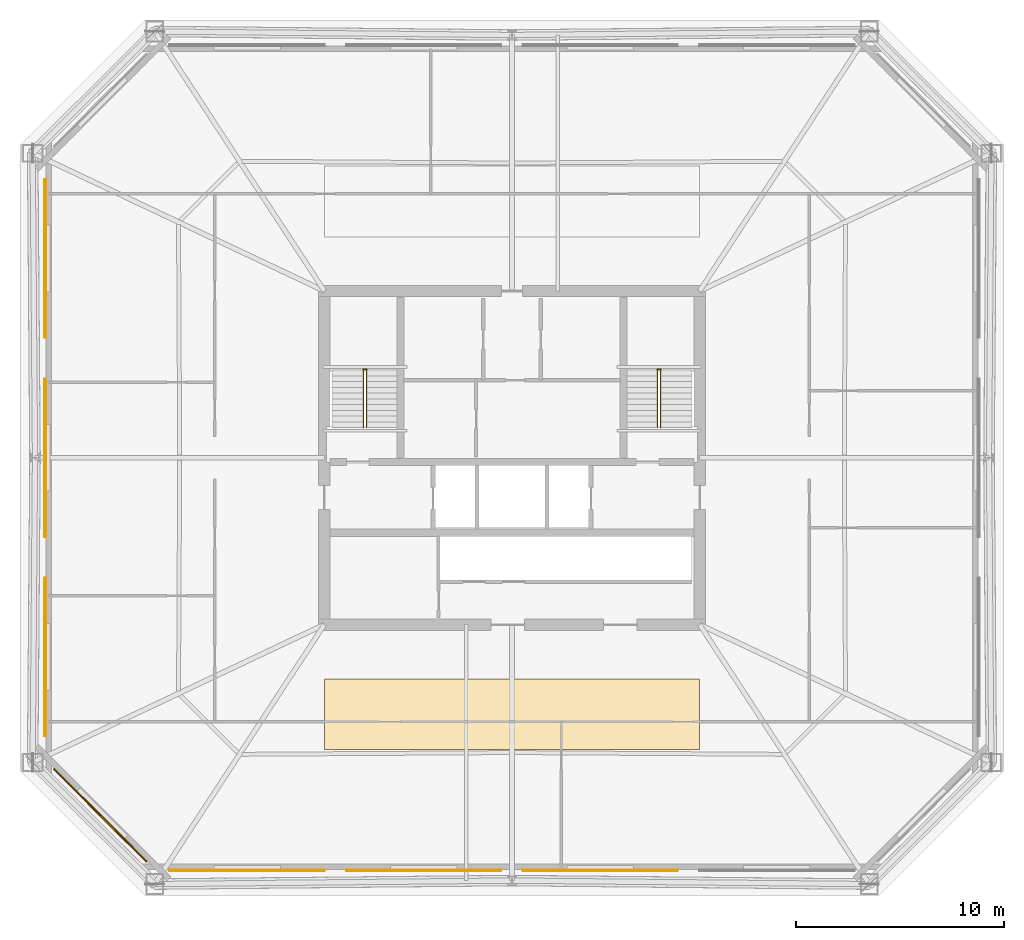
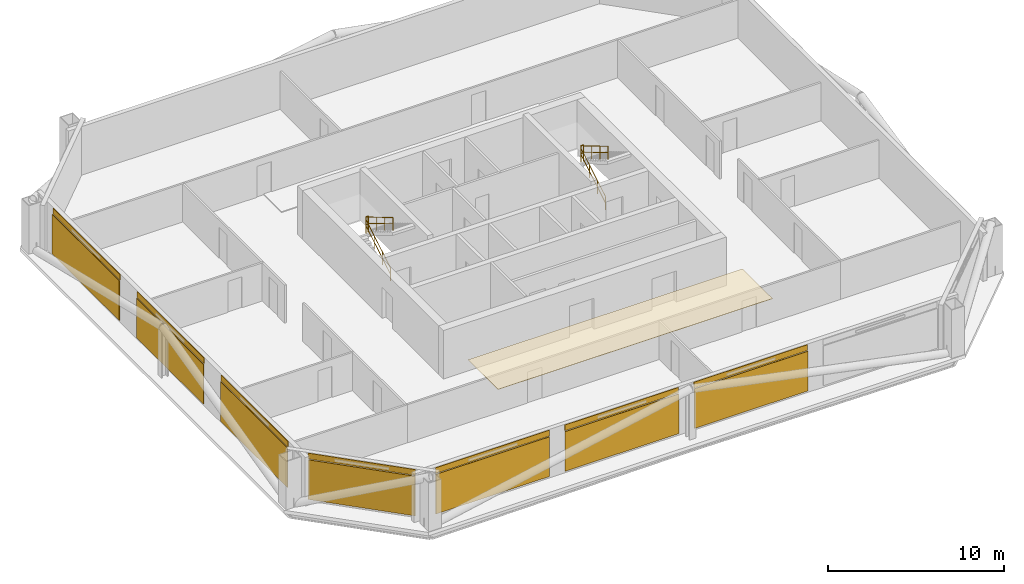
# One storey, part 5 of 6: 8 coverings, 7 shading devices, 6 railings.
"""IFC4 building model written with IfcOpenShell, lengths in metres."""

from ifc_helpers import new_model, si_unit, direction, frame, origin, origin_2d, place, context, subcontext, project, spatial, polyline, rectangle, circle, outline, extrude, material, layer, layer_set, type_object, element, save


model = new_model("IFC4")

# Units and contexts
model_context = context("Model", 3, precision=1e-05, world=origin(), true_north=direction((0.0, 1.0)))
body_context = subcontext(model_context, "Body", "Model", "MODEL_VIEW")
ifc_project = project(units=[si_unit("LENGTHUNIT", "METRE"), si_unit("AREAUNIT", "SQUARE_METRE"), si_unit("VOLUMEUNIT", "CUBIC_METRE"), si_unit("PLANEANGLEUNIT", "RADIAN"), si_unit("MASSUNIT", "GRAM", prefix="KILO")], contexts=[model_context])

# Site, building, storey
site_placement = place(None, origin())
site = spatial("IfcSite", under=ifc_project, at=site_placement, CompositionType="ELEMENT")
building_placement = place(site_placement, origin())
building = spatial("IfcBuilding", under=site, at=building_placement, Name="Caelvoria Tower", CompositionType="ELEMENT")
storey_placement = place(building_placement, frame((0.0, 0.0, 116.800048828125)))
storey = spatial("IfcBuildingStorey", under=building, at=storey_placement, Name="L30", CompositionType="ELEMENT", Elevation=116.800048828125)

# Coverings
ifc_material_1 = material(Name="Acoustic Mineral Fibre Tile", Category="gypsum")
ifc_layer_1 = layer(ifc_material_1, 0.02490234375, Name="Acoustic Mineral Fibre Tile")
ifc_layer_set_1 = layer_set([ifc_layer_1], Name="Mineral-Fibre Acoustic Suspended Ceiling 25 - Acoustic Mineral Fibre Tile")
covering_type_1 = type_object("IfcCoveringType", Name="Mineral-Fibre Acoustic Suspended Ceiling 25", PredefinedType="CEILING", material=ifc_layer_set_1)
covering_1_placement = place(storey_placement, frame((0.0, 0.0, 2.635009765625)))
element("IfcCovering", 1, at=covering_1_placement, inside=storey, type_object=covering_type_1, Name="Suspended Acoustic Ceiling L30", PredefinedType="CEILING", context=body_context, shape_type="SweptSolid", body=[
    extrude(outline(polyline([(37.0, 18.0), (55.0, 18.0), (55.0, 21.39990234375), (37.0, 21.39990234375), (37.0, 18.0)])), origin(), (0.0, 0.0, 1.0), 0.02490234375),
])
ifc_material_2 = material(Name="Perforated Architectural Bronze Cladding Screen", Category="bronze")
ifc_layer_2 = layer(ifc_material_2, 0.0400390625, Name="Perforated Architectural Bronze Cladding Screen")
ifc_layer_set_2 = layer_set([ifc_layer_2], Name="Perforated Bronze Louvre Cladding Band 40 - Perforated Architectural Bronze Cladding Screen")
covering_type_2 = type_object("IfcCoveringType", Name="Perforated Bronze Louvre Cladding Band 40", PredefinedType="CLADDING", material=ifc_layer_set_2)
for number, where, z_axis, x_axis, name in (
    (2, (33.294921875, 12.22802734375, 2.93994140625), (0.0, 0.0, 1.0), (1.0, 0.0, 0.0), "Perforated Bronze Screen Band L30-E0-00"),
    (3, (41.764892578125, 12.22802734375, 2.93994140625), (0.0, 0.0, 1.0), (1.0, 0.0, 0.0), "Perforated Bronze Screen Band L30-E0-01"),
    (4, (50.235107421875, 12.22802734375, 2.93994140625), (0.0, 0.0, 1.0), (1.0, 0.0, 0.0), "Perforated Bronze Screen Band L30-E0-02"),
):
    element("IfcCovering", number, at=place(storey_placement, frame(where, z_axis=z_axis, x_axis=x_axis)), inside=storey, type_object=covering_type_2, Name=name, PredefinedType="CLADDING", context=body_context, shape_type="SweptSolid", body=[
        extrude(rectangle(XDim=7.45361328125, YDim=0.0400390625, at=origin_2d()), origin(), (0.0, 0.0, 1.0), 0.39990234375),
    ])
for number, where, z_axis, x_axis, name in (
    (5, (23.6279296875, 41.56005859375, 2.93994140625), (0.0, 0.0, 1.0), (0.0, -1.0, 0.0), "Perforated Bronze Screen Band L30-E6-00"),
    (6, (23.6279296875, 32.0, 2.93994140625), (0.0, 0.0, 1.0), (0.0, -1.0, 0.0), "Perforated Bronze Screen Band L30-E6-01"),
    (7, (23.6279296875, 22.43994140625, 2.93994140625), (0.0, 0.0, 1.0), (0.0, -1.0, 0.0), "Perforated Bronze Screen Band L30-E6-02"),
):
    element("IfcCovering", number, at=place(storey_placement, frame(where, z_axis=z_axis, x_axis=x_axis)), inside=storey, type_object=covering_type_2, Name=name, PredefinedType="CLADDING", context=body_context, shape_type="SweptSolid", body=[
        extrude(rectangle(XDim=7.60009765625, YDim=0.0400390625, at=origin_2d()), origin(), (0.0, 0.0, 1.0), 0.39990234375),
    ])
covering_2_placement = place(storey_placement, frame((26.268310546875, 14.868408203125, 2.93994140625), z_axis=(0.0, 0.0, 1.0), x_axis=(0.707106781187, -0.707106781187, 0.0)))
element("IfcCovering", 8, at=covering_2_placement, inside=storey, type_object=covering_type_2, Name="Perforated Bronze Screen Band L30-E7-00", PredefinedType="CLADDING", context=body_context, shape_type="SweptSolid", body=[
    extrude(rectangle(XDim=6.305419921875, YDim=0.0400390625, at=origin_2d()), origin(), (0.0, 0.0, 1.0), 0.39990234375),
])

# Shading devices
ifc_material_3 = material(Name="Perforated Architectural Bronze Alloy Panel", Category="bronze")
ifc_layer_3 = layer(ifc_material_3, 0.044921875, Name="Perforated Architectural Bronze Alloy Panel")
ifc_layer_set_3 = layer_set([ifc_layer_3], Name="Perforated Bronze Solar Screen Panel SCREEN - Perforated Architectural Bronze Alloy Panel")
shading_device_type = type_object("IfcShadingDeviceType", Name="Perforated Bronze Solar Screen Panel SCREEN", PredefinedType="USERDEFINED", material=ifc_layer_set_3)
for number, where, z_axis, x_axis, name in (
    (9, (33.294921875, 12.18505859375, 0.159912109375), (0.0, 0.0, 1.0), (1.0, 0.0, 0.0), "Perforated Bronze Solar Screen L30-E0-00"),
    (10, (41.764892578125, 12.18505859375, 0.159912109375), (0.0, 0.0, 1.0), (1.0, 0.0, 0.0), "Perforated Bronze Solar Screen L30-E0-01"),
    (11, (50.235107421875, 12.18505859375, 0.159912109375), (0.0, 0.0, 1.0), (1.0, 0.0, 0.0), "Perforated Bronze Solar Screen L30-E0-02"),
):
    element("IfcShadingDevice", number, at=place(storey_placement, frame(where, z_axis=z_axis, x_axis=x_axis)), inside=storey, type_object=shading_device_type, Name=name, ObjectType="SCREEN", PredefinedType="USERDEFINED", context=body_context, shape_type="SweptSolid", body=[
        extrude(rectangle(XDim=7.45361328125, YDim=0.044921875, at=origin_2d()), origin(), (0.0, 0.0, 1.0), 2.75),
    ])
for number, where, z_axis, x_axis, name in (
    (12, (23.5849609375, 41.56005859375, 0.159912109375), (0.0, 0.0, 1.0), (0.0, -1.0, 0.0), "Perforated Bronze Solar Screen L30-E6-00"),
    (13, (23.5849609375, 32.0, 0.159912109375), (0.0, 0.0, 1.0), (0.0, -1.0, 0.0), "Perforated Bronze Solar Screen L30-E6-01"),
    (14, (23.5849609375, 22.43994140625, 0.159912109375), (0.0, 0.0, 1.0), (0.0, -1.0, 0.0), "Perforated Bronze Solar Screen L30-E6-02"),
):
    element("IfcShadingDevice", number, at=place(storey_placement, frame(where, z_axis=z_axis, x_axis=x_axis)), inside=storey, type_object=shading_device_type, Name=name, ObjectType="SCREEN", PredefinedType="USERDEFINED", context=body_context, shape_type="SweptSolid", body=[
        extrude(rectangle(XDim=7.60009765625, YDim=0.044921875, at=origin_2d()), origin(), (0.0, 0.0, 1.0), 2.75),
    ])
shading_device_placement = place(storey_placement, frame((26.23779296875, 14.837890625, 0.159912109375), z_axis=(0.0, 0.0, 1.0), x_axis=(0.707106781187, -0.707106781187, 0.0)))
element("IfcShadingDevice", 15, at=shading_device_placement, inside=storey, type_object=shading_device_type, Name="Perforated Bronze Solar Screen L30-E7-00", ObjectType="SCREEN", PredefinedType="USERDEFINED", context=body_context, shape_type="SweptSolid", body=[
    extrude(rectangle(XDim=6.305419921875, YDim=0.044921875, at=origin_2d()), origin(), (0.0, 0.0, 1.0), 2.75),
])

# Railings
ifc_material_4 = material(Name="Brushed Stainless Steel Tube", Category="steel")
railing_type_1 = type_object("IfcRailingType", Name="Stair Tubular Stainless Handrail 920", PredefinedType="HANDRAIL", material=ifc_material_4)
railing_1_placement = place(storey_placement, frame((38.8701171875, 33.449951171875, 0.16357421875)))
element("IfcRailing", 16, at=railing_1_placement, inside=storey, type_object=railing_type_1, Name="ST-01 Flight 1 Handrail L30", PredefinedType="HANDRAIL", context=body_context, shape_type="SweptSolid", body=[
    extrude(circle(Radius=0.02392578125, at=origin_2d()), frame((0.0, 0.0, 0.89599609375), z_axis=(0.0, 0.859351957796, 0.511384603436), x_axis=(-1.0, 0.0, 0.0)), (0.0, 0.0, 1.0), 3.2001953125),
    extrude(circle(Radius=0.02392578125, at=origin_2d()), frame((0.0, 0.0, 0.4599609375), z_axis=(0.0, 0.859351957796, 0.511384603436), x_axis=(-1.0, 0.0, 0.0)), (0.0, 0.0, 1.0), 3.2001953125),
    extrude(circle(Radius=0.02099609375, at=origin_2d()), origin(), (0.0, 0.0, 1.0), 0.871826171875),
    extrude(circle(Radius=0.02099609375, at=origin_2d()), frame((0.0, 0.916748046875, 0.54541015625)), (0.0, 0.0, 1.0), 0.871826171875),
    extrude(circle(Radius=0.02099609375, at=origin_2d()), frame((0.0, 1.833251953125, 1.091064453125)), (0.0, 0.0, 1.0), 0.871826171875),
    extrude(circle(Radius=0.02099609375, at=origin_2d()), frame((0.0, 2.75, 1.636474609375)), (0.0, 0.0, 1.0), 0.871826171875),
])
railing_2_placement = place(storey_placement, frame((39.030029296875, 36.199951171875, 1.963623046875)))
element("IfcRailing", 17, at=railing_2_placement, inside=storey, type_object=railing_type_1, Name="ST-01 Flight 2 Handrail L30", PredefinedType="HANDRAIL", context=body_context, shape_type="SweptSolid", body=[
    extrude(circle(Radius=0.02392578125, at=origin_2d()), frame((0.0, 0.0, 0.89599609375), z_axis=(0.0, -0.859385484447, 0.511328259656), x_axis=(1.0, 0.0, 0.0)), (0.0, 0.0, 1.0), 3.199951171875),
    extrude(circle(Radius=0.02392578125, at=origin_2d()), frame((0.0, 0.0, 0.4599609375), z_axis=(0.0, -0.859385484447, 0.511328259656), x_axis=(1.0, 0.0, 0.0)), (0.0, 0.0, 1.0), 3.199951171875),
    extrude(circle(Radius=0.02099609375, at=origin_2d()), origin(), (0.0, 0.0, 1.0), 0.871826171875),
    extrude(circle(Radius=0.02099609375, at=origin_2d()), frame((0.0, -0.916748046875, 0.54541015625)), (0.0, 0.0, 1.0), 0.871826171875),
    extrude(circle(Radius=0.02099609375, at=origin_2d()), frame((0.0, -1.833251953125, 1.0908203125)), (0.0, 0.0, 1.0), 0.871826171875),
    extrude(circle(Radius=0.02099609375, at=origin_2d()), frame((0.0, -2.75, 1.63623046875)), (0.0, 0.0, 1.0), 0.871826171875),
])
railing_3_placement = place(storey_placement, frame((52.969970703125, 33.449951171875, 0.16357421875)))
element("IfcRailing", 18, at=railing_3_placement, inside=storey, type_object=railing_type_1, Name="ST-02 Flight 1 Handrail L30", PredefinedType="HANDRAIL", context=body_context, shape_type="SweptSolid", body=[
    extrude(circle(Radius=0.02392578125, at=origin_2d()), frame((0.0, 0.0, 0.89599609375), z_axis=(0.0, 0.859351957796, 0.511384603436), x_axis=(-1.0, 0.0, 0.0)), (0.0, 0.0, 1.0), 3.2001953125),
    extrude(circle(Radius=0.02392578125, at=origin_2d()), frame((0.0, 0.0, 0.4599609375), z_axis=(0.0, 0.859351957796, 0.511384603436), x_axis=(-1.0, 0.0, 0.0)), (0.0, 0.0, 1.0), 3.2001953125),
    extrude(circle(Radius=0.02099609375, at=origin_2d()), origin(), (0.0, 0.0, 1.0), 0.871826171875),
    extrude(circle(Radius=0.02099609375, at=origin_2d()), frame((0.0, 0.916748046875, 0.54541015625)), (0.0, 0.0, 1.0), 0.871826171875),
    extrude(circle(Radius=0.02099609375, at=origin_2d()), frame((0.0, 1.833251953125, 1.091064453125)), (0.0, 0.0, 1.0), 0.871826171875),
    extrude(circle(Radius=0.02099609375, at=origin_2d()), frame((0.0, 2.75, 1.636474609375)), (0.0, 0.0, 1.0), 0.871826171875),
])
railing_4_placement = place(storey_placement, frame((53.1298828125, 36.199951171875, 1.963623046875)))
element("IfcRailing", 19, at=railing_4_placement, inside=storey, type_object=railing_type_1, Name="ST-02 Flight 2 Handrail L30", PredefinedType="HANDRAIL", context=body_context, shape_type="SweptSolid", body=[
    extrude(circle(Radius=0.02392578125, at=origin_2d()), frame((0.0, 0.0, 0.89599609375), z_axis=(0.0, -0.859385484447, 0.511328259656), x_axis=(1.0, 0.0, 0.0)), (0.0, 0.0, 1.0), 3.199951171875),
    extrude(circle(Radius=0.02392578125, at=origin_2d()), frame((0.0, 0.0, 0.4599609375), z_axis=(0.0, -0.859385484447, 0.511328259656), x_axis=(1.0, 0.0, 0.0)), (0.0, 0.0, 1.0), 3.199951171875),
    extrude(circle(Radius=0.02099609375, at=origin_2d()), origin(), (0.0, 0.0, 1.0), 0.871826171875),
    extrude(circle(Radius=0.02099609375, at=origin_2d()), frame((0.0, -0.916748046875, 0.54541015625)), (0.0, 0.0, 1.0), 0.871826171875),
    extrude(circle(Radius=0.02099609375, at=origin_2d()), frame((0.0, -1.833251953125, 1.0908203125)), (0.0, 0.0, 1.0), 0.871826171875),
    extrude(circle(Radius=0.02099609375, at=origin_2d()), frame((0.0, -2.75, 1.63623046875)), (0.0, 0.0, 1.0), 0.871826171875),
])
ifc_material_5 = material(Name="Brushed Stainless Steel Guardrail", Category="steel")
railing_type_2 = type_object("IfcRailingType", Name="Stair Well and Ramp Guardrail 1120", PredefinedType="GUARDRAIL", material=ifc_material_5)
for number, where, name in (
    (20, (38.8701171875, 36.239990234375, 1.800048828125), "ST-01 Half-Landing Well Guard L30"),
    (21, (52.969970703125, 36.239990234375, 1.800048828125), "ST-02 Half-Landing Well Guard L30"),
):
    element("IfcRailing", number, at=place(storey_placement, frame(where)), inside=storey, type_object=railing_type_2, Name=name, PredefinedType="GUARDRAIL", context=body_context, shape_type="SweptSolid", body=[
        extrude(circle(Radius=0.02392578125, at=origin_2d()), frame((0.0, 0.0, 1.09619140625), z_axis=(1.0, 0.0, 0.0), x_axis=(0.0, 1.0, 0.0)), (0.0, 0.0, 1.0), 0.159912109375),
        extrude(circle(Radius=0.02392578125, at=origin_2d()), frame((0.0, 0.0, 0.56005859375), z_axis=(1.0, 0.0, 0.0), x_axis=(0.0, 1.0, 0.0)), (0.0, 0.0, 1.0), 0.159912109375),
        extrude(circle(Radius=0.02099609375, at=origin_2d()), origin(), (0.0, 0.0, 1.0), 1.072021484375),
        extrude(circle(Radius=0.02099609375, at=origin_2d()), frame((0.159912109375, 0.0, 0.0)), (0.0, 0.0, 1.0), 1.072021484375),
    ])

save(model, "model.ifc")
